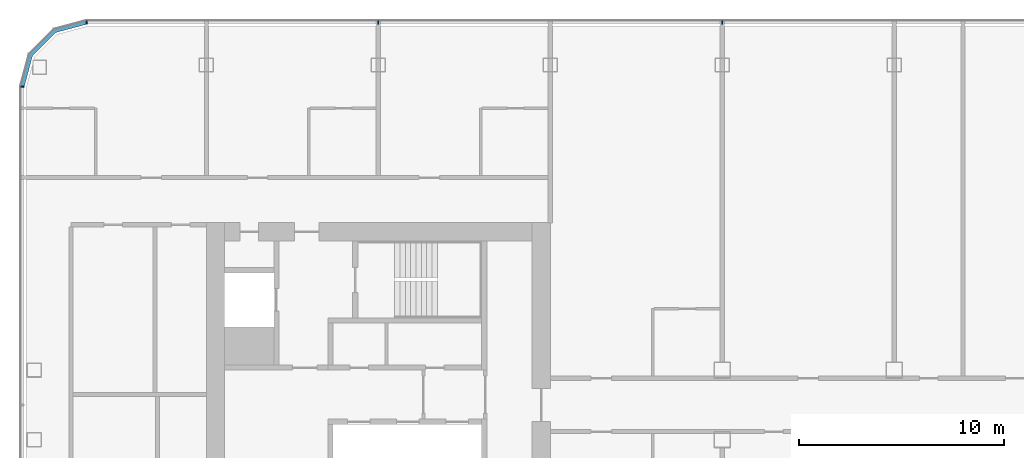
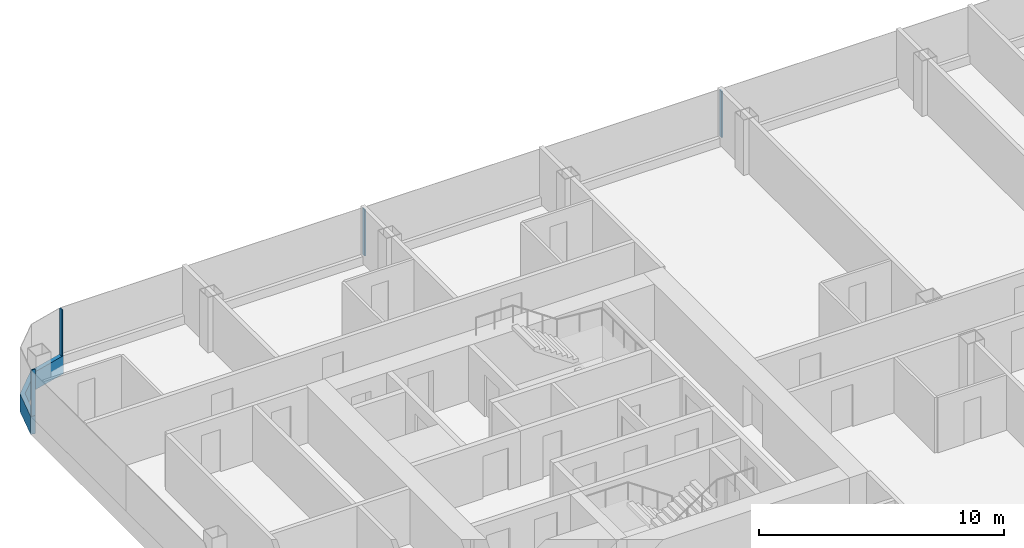
# One storey, part 6 of 26: 5 members, 3 elements without a shape of their own.
"""IFC4 building model written with IfcOpenShell, lengths in metres."""

from ifc_helpers import new_model, si_unit, direction, frame, origin, origin_2d, place, context, subcontext, project, spatial, polyline, rectangle, outline, extrude, material, layer, layer_set, material_profile, profile_set, type_object, element, aggregate, save


model = new_model("IFC4")

# Units and contexts
model_context = context("Model", 3, precision=1e-05, world=origin(), true_north=direction((0.0, 1.0)))
body_context = subcontext(model_context, "Body", "Model", "MODEL_VIEW")
ifc_project = project(units=[si_unit("LENGTHUNIT", "METRE"), si_unit("AREAUNIT", "SQUARE_METRE"), si_unit("VOLUMEUNIT", "CUBIC_METRE"), si_unit("PLANEANGLEUNIT", "RADIAN"), si_unit("MASSUNIT", "GRAM", prefix="KILO")], contexts=[model_context])

# Site, building, storey
site_placement = place(None, origin())
site = spatial("IfcSite", under=ifc_project, at=site_placement, CompositionType="ELEMENT")
building_placement = place(site_placement, origin())
building = spatial("IfcBuilding", under=site, at=building_placement, Name="Hakoniwa Tower and Hamabe Station Hall", CompositionType="ELEMENT")
storey_placement = place(building_placement, frame((0.0, 0.0, 131.0)))
storey = spatial("IfcBuildingStorey", under=building, at=storey_placement, Name="L36", CompositionType="ELEMENT", Elevation=131.0)

# Curtain wall, member
ifc_material_1 = material(Name="Dark low-e laminated glass", Category="glass")
ifc_layer = layer(ifc_material_1, 0.199951171875)
ifc_layer_set = layer_set([ifc_layer], Name="CW-1 UNITISED GUEST")
curtain_wall_type = type_object("IfcCurtainWallType", Name="CW-1 UNITISED GUEST", PredefinedType="NOTDEFINED", material=ifc_layer_set)
curtain_wall_1_placement = place(storey_placement, origin())
curtain_wall_1 = element("IfcCurtainWall", 1, at=curtain_wall_1_placement, inside=storey, type_object=curtain_wall_type, Name="CW-1 curtain wall", PredefinedType="NOTDEFINED")
ifc_material_2 = material(Name="Aluminium 6063-T5 black anodised", Category="aluminium")
ifc_material_profile_1 = material_profile(ifc_material_2, rectangle(XDim=0.199951171875, YDim=0.89990234375, at=origin_2d()), Name="CW SLAB-EDGE BAND 900X200")
ifc_profile_set_1 = profile_set([ifc_material_profile_1], Name="Aluminium 6063-T5 black anodised")
member_type_1 = type_object("IfcMemberType", Name="CW SLAB-EDGE BAND 900X200", PredefinedType="USERDEFINED", material=ifc_profile_set_1)
member_1_placement = place(storey_placement, frame((0.0, 0.0, -0.550048828125)))
member_1 = element("IfcMember", 2, at=member_1_placement, type_object=member_type_1, Name="CW-1 transom", ObjectType="TRANSOM", PredefinedType="USERDEFINED", context=body_context, shape_type="SweptSolid", body=[
    extrude(outline(polyline([(-39.439453125, 18.300048828125), (-41.05517578125, 17.866943359375), (-42.26708984375, 16.6552734375), (-42.699951171875, 15.03955078125), (-42.5068359375, 14.98779296875), (-42.087646484375, 16.5517578125), (-40.95166015625, 17.687744140625), (-39.3876953125, 18.10693359375), (-39.439453125, 18.300048828125)])), origin(), (0.0, 0.0, 1.0), 0.900146484375),
])
aggregate(curtain_wall_1, [member_1])

# Curtain wall, members
curtain_wall_2_placement = place(storey_placement, origin())
curtain_wall_2 = element("IfcCurtainWall", 3, at=curtain_wall_2_placement, inside=storey, type_object=curtain_wall_type, Name="CW-1 curtain wall", PredefinedType="NOTDEFINED")
ifc_material_3 = material(Name="Aluminium 6063-T5 black anodised", Category="aluminium")
ifc_material_profile_2 = material_profile(ifc_material_3, rectangle(XDim=0.06005859375, YDim=0.179931640625, at=origin_2d()), Name="CW-1 MULLION 60X180")
ifc_profile_set_2 = profile_set([ifc_material_profile_2], Name="Aluminium 6063-T5 black anodised")
member_type_2 = type_object("IfcMemberType", Name="CW-1 MULLION 60X180", PredefinedType="MULLION", material=ifc_profile_set_2)
member_2_placement = place(storey_placement, frame((-8.39990234375, 18.181884765625, 0.35009765625), z_axis=(0.0, 0.0, 1.0), x_axis=(-1.0, 0.0, 0.0)))
member_2 = element("IfcMember", 4, at=member_2_placement, type_object=member_type_2, Name="CW-1 mullion", PredefinedType="MULLION", context=body_context, shape_type="SweptSolid", body=[
    extrude(rectangle(XDim=0.06005859375, YDim=0.179931640625, at=origin_2d()), origin(), (0.0, 0.0, 1.0), 2.2998046875),
])
member_3_placement = place(storey_placement, frame((-25.199951171875, 18.181884765625, 0.35009765625), z_axis=(0.0, 0.0, 1.0), x_axis=(-1.0, 0.0, 0.0)))
member_3 = element("IfcMember", 5, at=member_3_placement, type_object=member_type_2, Name="CW-1 mullion", PredefinedType="MULLION", context=body_context, shape_type="SweptSolid", body=[
    extrude(rectangle(XDim=0.06005859375, YDim=0.179931640625, at=origin_2d()), origin(), (0.0, 0.0, 1.0), 2.2998046875),
])
member_4_placement = place(storey_placement, frame((-39.439453125, 18.181884765625, 0.35009765625), z_axis=(0.0, 0.0, 1.0), x_axis=(-1.0, 0.0, 0.0)))
member_4 = element("IfcMember", 6, at=member_4_placement, type_object=member_type_2, Name="CW-1 mullion", PredefinedType="MULLION", context=body_context, shape_type="SweptSolid", body=[
    extrude(rectangle(XDim=0.06005859375, YDim=0.179931640625, at=origin_2d()), origin(), (0.0, 0.0, 1.0), 2.2998046875),
])
aggregate(curtain_wall_2, [member_2, member_3, member_4])

# Curtain wall, member
curtain_wall_3_placement = place(storey_placement, origin())
curtain_wall_3 = element("IfcCurtainWall", 7, at=curtain_wall_3_placement, inside=storey, type_object=curtain_wall_type, Name="CW-1 curtain wall", PredefinedType="NOTDEFINED")
member_5_placement = place(storey_placement, frame((-42.58203125, 15.03955078125, 0.35009765625), z_axis=(0.0, 0.0, 1.0), x_axis=(0.0, -1.0, 0.0)))
member_5 = element("IfcMember", 8, at=member_5_placement, type_object=member_type_2, Name="CW-1 mullion", PredefinedType="MULLION", context=body_context, shape_type="SweptSolid", body=[
    extrude(rectangle(XDim=0.06005859375, YDim=0.179931640625, at=origin_2d()), origin(), (0.0, 0.0, 1.0), 2.2998046875),
])
aggregate(curtain_wall_3, [member_5])

save(model, "model.ifc")
